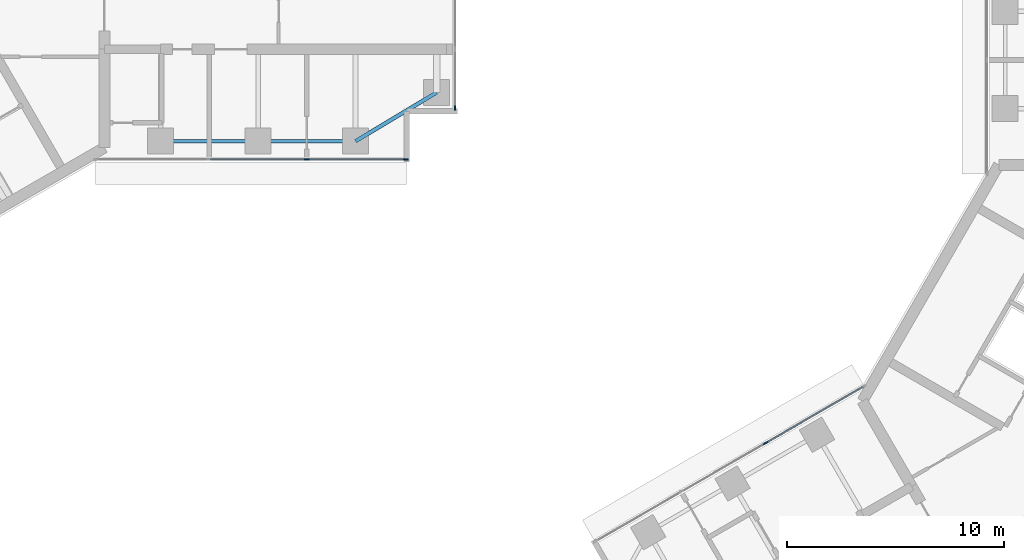
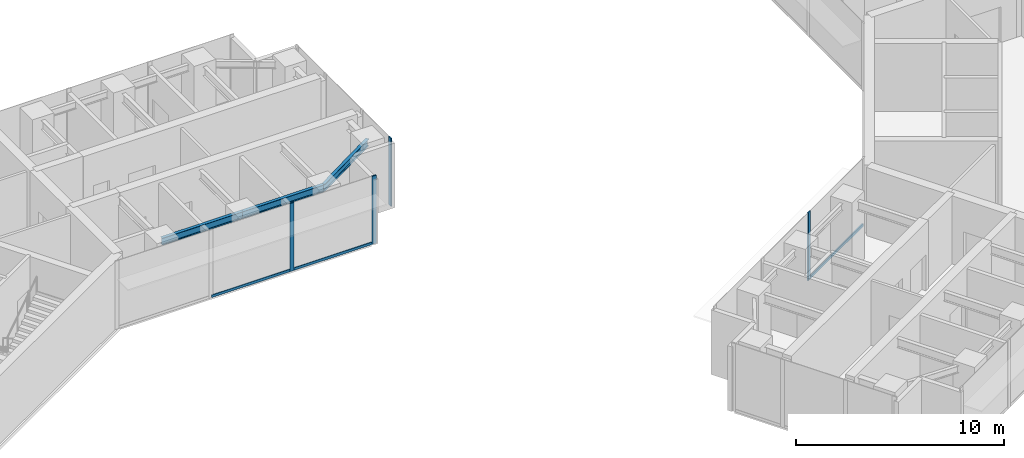
# One storey, part 4 of 17: 7 members, 3 beams, 3 elements without a shape of their own.
"""IFC4 building model written with IfcOpenShell, lengths in metres."""

from ifc_helpers import new_model, si_unit, direction, frame, origin, origin_2d, place, context, subcontext, project, spatial, rectangle, i_section, extrude, material, material_profile, profile_set, type_object, element, aggregate, save


model = new_model("IFC4")

# Units and contexts
model_context = context("Model", 3, precision=1e-05, world=origin(), true_north=direction((0.0, 1.0)))
body_context = subcontext(model_context, "Body", "Model", "MODEL_VIEW")
ifc_project = project(units=[si_unit("LENGTHUNIT", "METRE"), si_unit("AREAUNIT", "SQUARE_METRE"), si_unit("VOLUMEUNIT", "CUBIC_METRE"), si_unit("PLANEANGLEUNIT", "RADIAN"), si_unit("MASSUNIT", "GRAM", prefix="KILO")], contexts=[model_context])

# Site, building, storey
site_placement = place(None, origin())
site = spatial("IfcSite", under=ifc_project, at=site_placement, CompositionType="ELEMENT")
building_placement = place(site_placement, origin())
building = spatial("IfcBuilding", under=site, at=building_placement, Name="Upepo Twin Towers", CompositionType="ELEMENT")
storey_placement = place(building_placement, frame((0.0, 0.0, 186.5)))
storey = spatial("IfcBuildingStorey", under=building, at=storey_placement, Name="L45", CompositionType="ELEMENT", Elevation=186.5)

# Beams
ifc_material_1 = material(Name="Steel S355", Category="steel")
ifc_material_profile_1 = material_profile(ifc_material_1, i_section(OverallWidth=0.177978515625, OverallDepth=0.406494140625, WebThickness=0.0078125, FlangeThickness=0.0126953125, FilletRadius=0.01025390625, at=origin_2d()), Name="UB 406x178x60")
ifc_profile_set_1 = profile_set([ifc_material_profile_1], Name="Steel S355")
beam_type = type_object("IfcBeamType", Name="Beam UB 406x178x60", PredefinedType="BEAM", material=ifc_profile_set_1)
for number, where, z_axis, x_axis, name in (
    (1, (13.5, -6.0, 3.5966796875), (1.0, 0.0, 0.0), (0.0, 1.0, 0.0), "T1 edge beam AR 13.5-18.0"),
    (2, (18.0, -6.0, 3.5966796875), (1.0, 0.0, 0.0), (0.0, 1.0, 0.0), "T1 edge beam AR 18.0-22.5"),
):
    element("IfcBeam", number, at=place(storey_placement, frame(where, z_axis=z_axis, x_axis=x_axis)), inside=storey, type_object=beam_type, Name=name, PredefinedType="BEAM", context=body_context, shape_type="SweptSolid", body=[
        extrude(i_section(OverallWidth=0.177978515625, OverallDepth=0.406494140625, WebThickness=0.0078125, FlangeThickness=0.0126953125, FilletRadius=0.01025390625, at=origin_2d()), origin(), (0.0, 0.0, 1.0), 4.5),
    ])
beam_placement = place(storey_placement, frame((22.5, -6.0, 3.5966796875), z_axis=(0.857492925713, 0.514495755428, 0.0), x_axis=(-0.514495755428, 0.857492925713, 0.0)))
element("IfcBeam", 3, at=beam_placement, inside=storey, type_object=beam_type, Name="T1 nose edge beam AR", PredefinedType="BEAM", context=body_context, shape_type="SweptSolid", body=[
    extrude(i_section(OverallWidth=0.177978515625, OverallDepth=0.406494140625, WebThickness=0.0078125, FlangeThickness=0.0126953125, FilletRadius=0.01025390625, at=origin_2d()), origin(), (0.0, 0.0, 1.0), 4.373291015625),
])

# Curtain wall, members
ifc_material_2 = material(Name="Aluminium and fritted glass", Category="aluminium")
curtain_wall_type = type_object("IfcCurtainWallType", Name="Tower curtain wall TW3, fritted glass", PredefinedType="NOTDEFINED", material=ifc_material_2)
curtain_wall_1_placement = place(storey_placement, origin())
curtain_wall_1 = element("IfcCurtainWall", 4, at=curtain_wall_1_placement, inside=storey, type_object=curtain_wall_type, Name="T1 L45 wing A flank R curtain wall", PredefinedType="NOTDEFINED")
ifc_material_3 = material(Name="Aluminium mullion", Category="aluminium")
ifc_material_profile_2 = material_profile(ifc_material_3, rectangle(XDim=0.06494140625, YDim=0.22509765625, at=origin_2d()), Name="MULLION 65x225")
ifc_profile_set_2 = profile_set([ifc_material_profile_2], Name="Aluminium mullion")
member_type_1 = type_object("IfcMemberType", Name="Mullion 65x225 TW3", PredefinedType="MULLION", material=ifc_profile_set_2)
member_1_placement = place(storey_placement, frame((24.8173828125, -6.85009765625, 0.0), z_axis=(0.0, 0.0, 1.0), x_axis=(0.0, -1.0, 0.0)))
member_1 = element("IfcMember", 5, at=member_1_placement, type_object=member_type_1, Name="T1 L45 wing A flank R curtain wall mullion 1", PredefinedType="MULLION", context=body_context, shape_type="SweptSolid", body=[
    extrude(rectangle(XDim=0.06494140625, YDim=0.22509765625, at=origin_2d()), origin(), (0.0, 0.0, 1.0), 4.0),
])
member_2_placement = place(storey_placement, frame((20.25, -6.85009765625, 0.0), z_axis=(0.0, 0.0, 1.0), x_axis=(0.0, -1.0, 0.0)))
member_2 = element("IfcMember", 6, at=member_2_placement, type_object=member_type_1, Name="T1 L45 wing A flank R curtain wall mullion 2", PredefinedType="MULLION", context=body_context, shape_type="SweptSolid", body=[
    extrude(rectangle(XDim=0.06494140625, YDim=0.22509765625, at=origin_2d()), origin(), (0.0, 0.0, 1.0), 4.0),
])

# Curtain wall, member
curtain_wall_2_placement = place(storey_placement, origin())
curtain_wall_2 = element("IfcCurtainWall", 7, at=curtain_wall_2_placement, inside=storey, type_object=curtain_wall_type, Name="T1 L45 wing A nose curtain wall", PredefinedType="NOTDEFINED")
member_3_placement = place(storey_placement, frame((27.10009765625, -4.467529296875, 0.0), z_axis=(0.0, 0.0, 1.0), x_axis=(-1.0, 0.0, 0.0)))
member_3 = element("IfcMember", 8, at=member_3_placement, type_object=member_type_1, Name="T1 L45 wing A nose curtain wall mullion 1", PredefinedType="MULLION", context=body_context, shape_type="SweptSolid", body=[
    extrude(rectangle(XDim=0.06494140625, YDim=0.22509765625, at=origin_2d()), origin(), (0.0, 0.0, 1.0), 4.0),
])
aggregate(curtain_wall_2, [member_3])

curtain_wall_3_placement = place(storey_placement, origin())
curtain_wall_3 = element("IfcCurtainWall", 9, at=curtain_wall_3_placement, inside=storey, type_object=curtain_wall_type, Name="T2 L45 wing B flank R curtain wall", PredefinedType="NOTDEFINED")
member_4_placement = place(storey_placement, frame((41.43505859375, -19.942626953125, 0.0), z_axis=(0.0, 0.0, 1.0), x_axis=(-0.500000026527, 0.866025388469, 0.0)))
member_4 = element("IfcMember", 10, at=member_4_placement, type_object=member_type_1, Name="T2 L45 wing B flank R curtain wall mullion 3", PredefinedType="MULLION", context=body_context, shape_type="SweptSolid", body=[
    extrude(rectangle(XDim=0.06494140625, YDim=0.22509765625, at=origin_2d()), origin(), (0.0, 0.0, 1.0), 4.0),
])

# Member
ifc_material_4 = material(Name="Aluminium transom", Category="aluminium")
ifc_material_profile_3 = material_profile(ifc_material_4, rectangle(XDim=0.06494140625, YDim=0.14990234375, at=origin_2d()), Name="TRANSOM 65x150")
ifc_profile_set_3 = profile_set([ifc_material_profile_3], Name="Aluminium transom")
member_type_2 = type_object("IfcMemberType", Name="Transom 65x150 TW3", PredefinedType="USERDEFINED", material=ifc_profile_set_3)
member_5_placement = place(storey_placement, frame((24.784912109375, -6.85009765625, 0.074951171875), z_axis=(-1.0, 0.0, 0.0), x_axis=(0.0, -1.0, 0.0)))
member_5 = element("IfcMember", 11, at=member_5_placement, type_object=member_type_2, Name="T1 L45 wing A flank R curtain wall transom 1", ObjectType="TRANSOM", PredefinedType="USERDEFINED", context=body_context, shape_type="SweptSolid", body=[
    extrude(rectangle(XDim=0.06494140625, YDim=0.14990234375, at=origin_2d()), origin(), (0.0, 0.0, 1.0), 4.50244140625),
])

member_6_placement = place(storey_placement, frame((20.217529296875, -6.85009765625, 0.074951171875), z_axis=(-1.0, 0.0, 0.0), x_axis=(0.0, -1.0, 0.0)))
member_6 = element("IfcMember", 12, at=member_6_placement, type_object=member_type_2, Name="T1 L45 wing A flank R curtain wall transom 2", ObjectType="TRANSOM", PredefinedType="USERDEFINED", context=body_context, shape_type="SweptSolid", body=[
    extrude(rectangle(XDim=0.06494140625, YDim=0.14990234375, at=origin_2d()), origin(), (0.0, 0.0, 1.0), 4.43505859375),
])

aggregate(curtain_wall_1, [member_1, member_2, member_5, member_6])

member_7_placement = place(storey_placement, frame((41.463134765625, -19.926513671875, 0.074951171875), z_axis=(0.86602108507, 0.500007480159, 0.0), x_axis=(-0.500007480159, 0.86602108507, 0.0)))
member_7 = element("IfcMember", 13, at=member_7_placement, type_object=member_type_2, Name="T2 L45 wing B flank R curtain wall transom 3", ObjectType="TRANSOM", PredefinedType="USERDEFINED", context=body_context, shape_type="SweptSolid", body=[
    extrude(rectangle(XDim=0.06494140625, YDim=0.14990234375, at=origin_2d()), origin(), (0.0, 0.0, 1.0), 5.16552734375),
])

aggregate(curtain_wall_3, [member_4, member_7])

save(model, "model.ifc")
